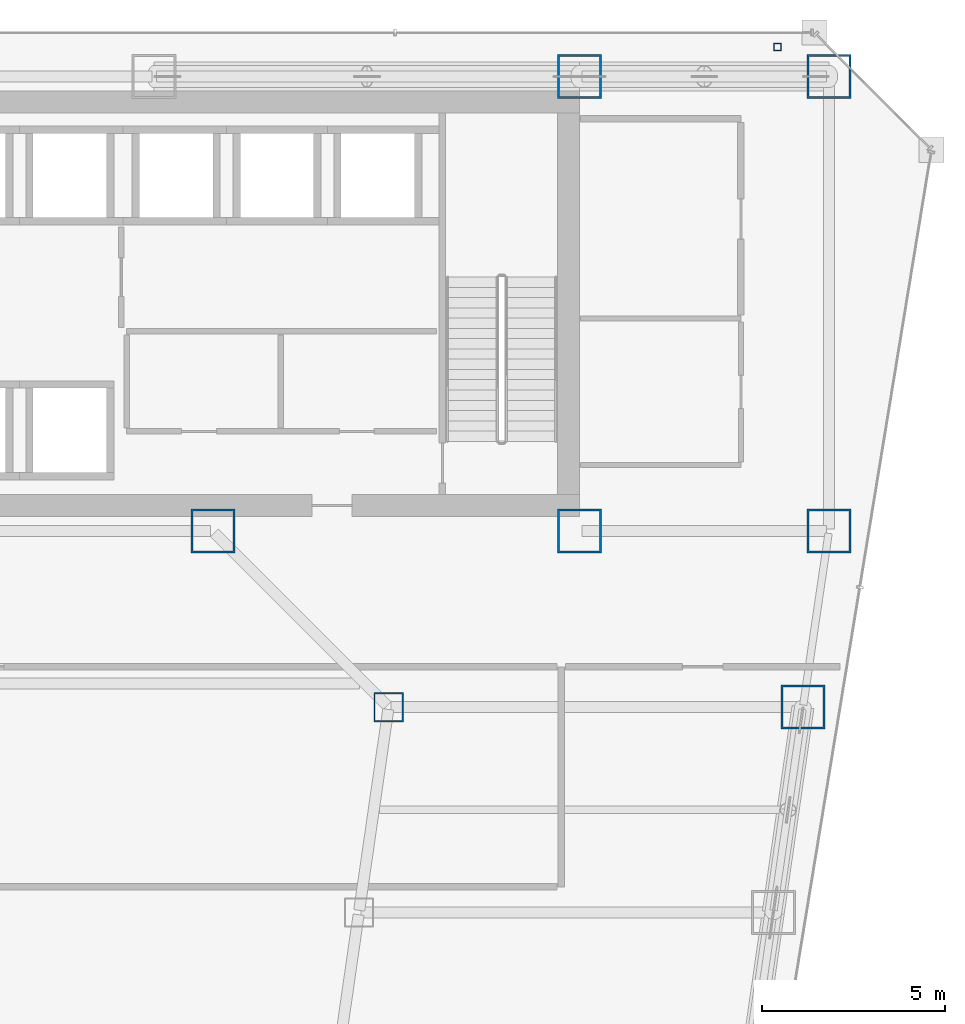
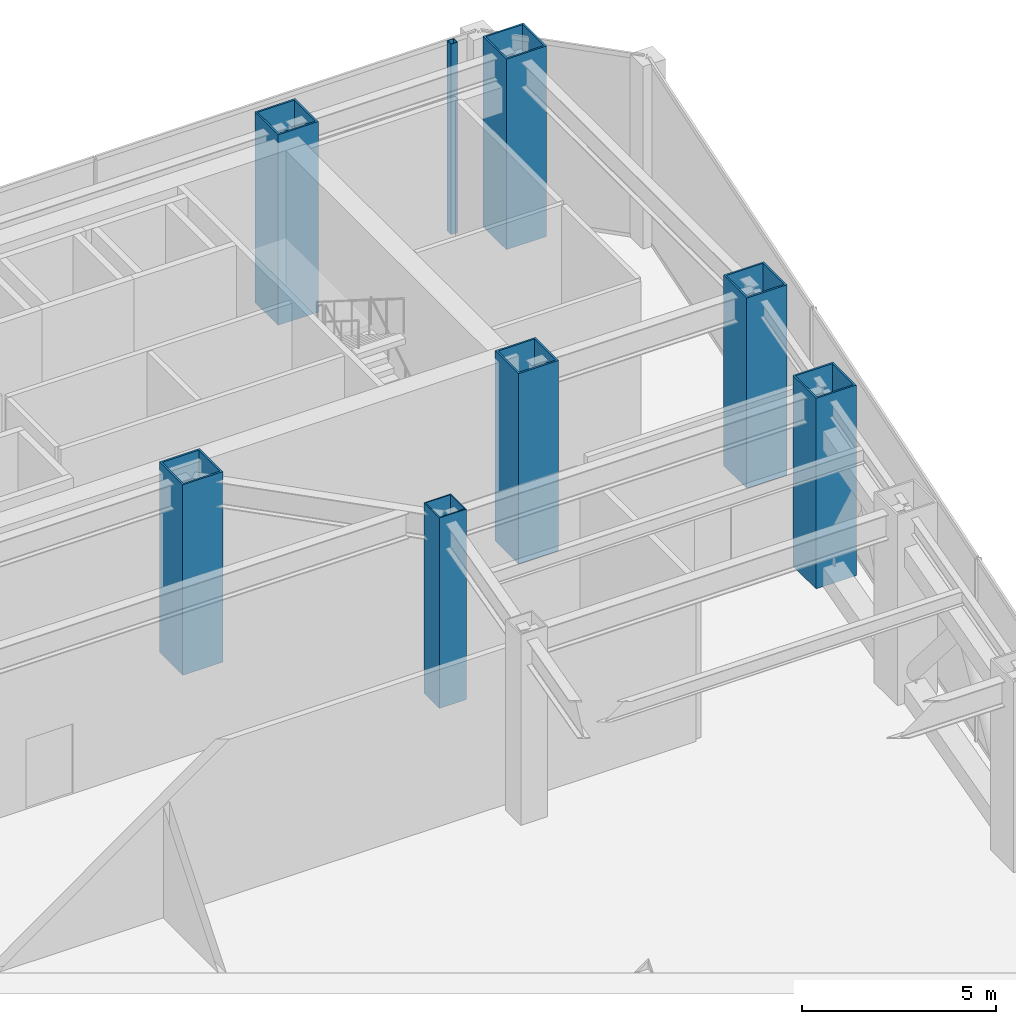
# One storey, part 3 of 35: 8 columns.
"""IFC4 building model written with IfcOpenShell, lengths in metres."""

from ifc_helpers import new_model, si_unit, direction, frame, origin, origin_2d, place, context, subcontext, project, spatial, hollow_rectangle, extrude, material, material_profile, profile_set, type_object, element, save


model = new_model("IFC4")

# Units and contexts
model_context = context("Model", 3, precision=1e-05, world=origin(), true_north=direction((0.0, 1.0)))
body_context = subcontext(model_context, "Body", "Model", "MODEL_VIEW")
ifc_project = project(units=[si_unit("LENGTHUNIT", "METRE"), si_unit("AREAUNIT", "SQUARE_METRE"), si_unit("VOLUMEUNIT", "CUBIC_METRE"), si_unit("PLANEANGLEUNIT", "RADIAN"), si_unit("MASSUNIT", "GRAM", prefix="KILO")], contexts=[model_context])

# Site, building, storey
site_placement = place(None, origin())
site = spatial("IfcSite", under=ifc_project, at=site_placement, CompositionType="ELEMENT")
building_placement = place(site_placement, origin())
building = spatial("IfcBuilding", under=site, at=building_placement, Name="Saevonmaru Cultural Tower", CompositionType="ELEMENT")
storey_placement = place(building_placement, frame((0.0, 0.0, 86.800048828125)))
storey = spatial("IfcBuildingStorey", under=building, at=storey_placement, Name="L18", CompositionType="ELEMENT", Elevation=86.800048828125)

# Columns
ifc_material_1 = material(Name="Steel HSA600 (600 MPa)", Category="steel")
ifc_material_profile_1 = material_profile(ifc_material_1, hollow_rectangle(XDim=1.199951171875, YDim=1.199951171875, WallThickness=0.054931640625, at=origin_2d()), Name="BOX-1200x1200x55")
ifc_profile_set_1 = profile_set([ifc_material_profile_1], Name="Steel HSA600 (600 MPa)")
column_type_1 = type_object("IfcColumnType", Name="COL-BOX-1200", PredefinedType="COLUMN", material=ifc_profile_set_1)
for number, where, z_axis, x_axis, name in (
    (1, (46.39990234375, 54.800048828125, 0.0), (0.0, 0.0, 1.0), (1.0, 0.0, 0.0), "L18 Column TC-N5N"),
    (2, (53.199951171875, 54.800048828125, 0.0), (0.0, 0.0, 1.0), (1.0, 0.0, 0.0), "L18 Column TC-N6N"),
    (3, (36.39990234375, 42.39990234375, 0.0), (0.0, 0.0, 1.0), (1.0, 0.0, 0.0), "L18 Column TC-S4C"),
    (4, (46.39990234375, 42.39990234375, 0.0), (0.0, 0.0, 1.0), (1.0, 0.0, 0.0), "L18 Column TC-S5C"),
    (5, (53.199951171875, 42.39990234375, 0.0), (0.0, 0.0, 1.0), (1.0, 0.0, 0.0), "L18 Column TC-S6C"),
    (6, (52.491943359375, 37.60009765625, 0.0), (0.0, 0.0, 1.0), (1.0, 0.0, 0.0), "L18 Column TC-EO-Y376"),
):
    element("IfcColumn", number, at=place(storey_placement, frame(where, z_axis=z_axis, x_axis=x_axis)), inside=storey, type_object=column_type_1, Name=name, PredefinedType="COLUMN", context=body_context, shape_type="SweptSolid", body=[
        extrude(hollow_rectangle(XDim=1.199951171875, YDim=1.199951171875, WallThickness=0.054931640625, at=origin_2d()), origin(), (0.0, 0.0, 1.0), 6.0),
    ])
ifc_material_2 = material(Name="Steel SM420", Category="steel")
ifc_material_profile_2 = material_profile(ifc_material_2, hollow_rectangle(XDim=0.800048828125, YDim=0.800048828125, WallThickness=0.035888671875, at=origin_2d()), Name="BOX-800x800x36")
ifc_profile_set_2 = profile_set([ifc_material_profile_2], Name="Steel SM420")
column_type_2 = type_object("IfcColumnType", Name="COL-BOX-800", PredefinedType="COLUMN", material=ifc_profile_set_2)
column_1_placement = place(storey_placement, frame((41.19189453125, 37.60009765625, 0.0), z_axis=(0.0, 0.0, 1.0), x_axis=(1.0, 0.0, 0.0)))
element("IfcColumn", 7, at=column_1_placement, inside=storey, type_object=column_type_2, Name="L18 Column TC-EI-Y376", PredefinedType="COLUMN", context=body_context, shape_type="SweptSolid", body=[
    extrude(hollow_rectangle(XDim=0.800048828125, YDim=0.800048828125, WallThickness=0.035888671875, at=origin_2d()), origin(), (0.0, 0.0, 1.0), 6.0),
])
ifc_material_3 = material(Name="Steel SM355", Category="steel")
ifc_material_profile_3 = material_profile(ifc_material_3, hollow_rectangle(XDim=0.199951171875, YDim=0.199951171875, WallThickness=0.010009765625, at=origin_2d()), Name="SHS-200x200x10")
ifc_profile_set_3 = profile_set([ifc_material_profile_3], Name="Steel SM355")
column_type_3 = type_object("IfcColumnType", Name="PIL-SHS-200", PredefinedType="PILASTER", material=ifc_profile_set_3)
column_2_placement = place(storey_placement, frame((51.800048828125, 55.60009765625, 0.0), z_axis=(0.0, 0.0, 1.0), x_axis=(1.0, 0.0, 0.0)))
element("IfcColumn", 8, at=column_2_placement, inside=storey, type_object=column_type_3, Name="L18 Art Deco Bronze-Clad Pilaster PIL-NE", PredefinedType="PILASTER", context=body_context, shape_type="SweptSolid", body=[
    extrude(hollow_rectangle(XDim=0.199951171875, YDim=0.199951171875, WallThickness=0.010009765625, at=origin_2d()), origin(), (0.0, 0.0, 1.0), 6.0),
])

save(model, "model.ifc")
